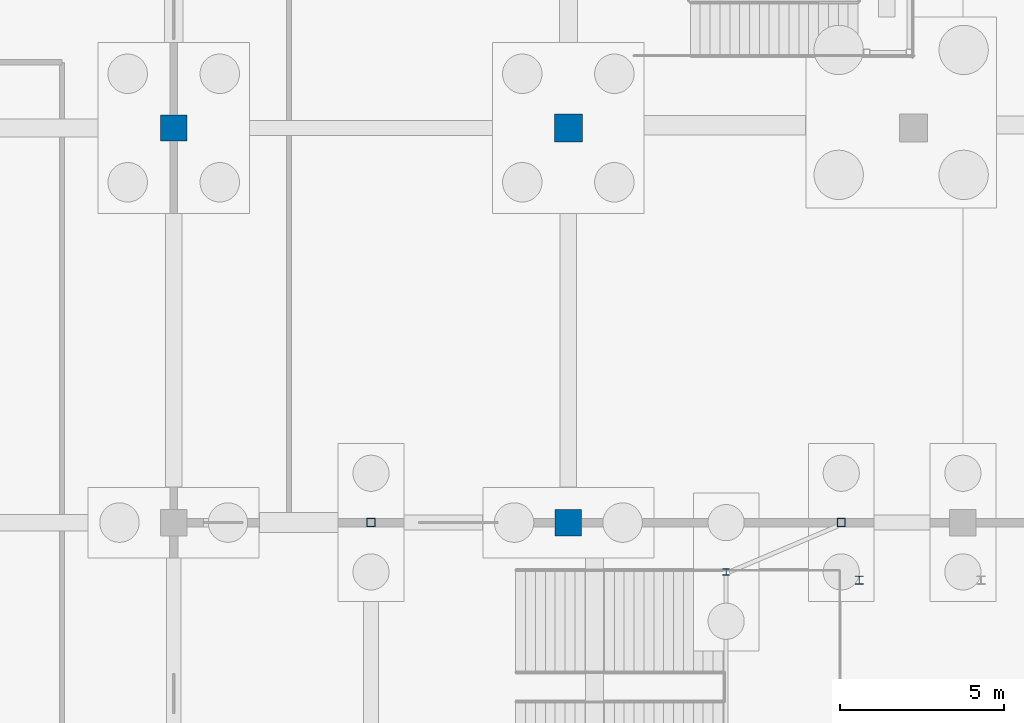
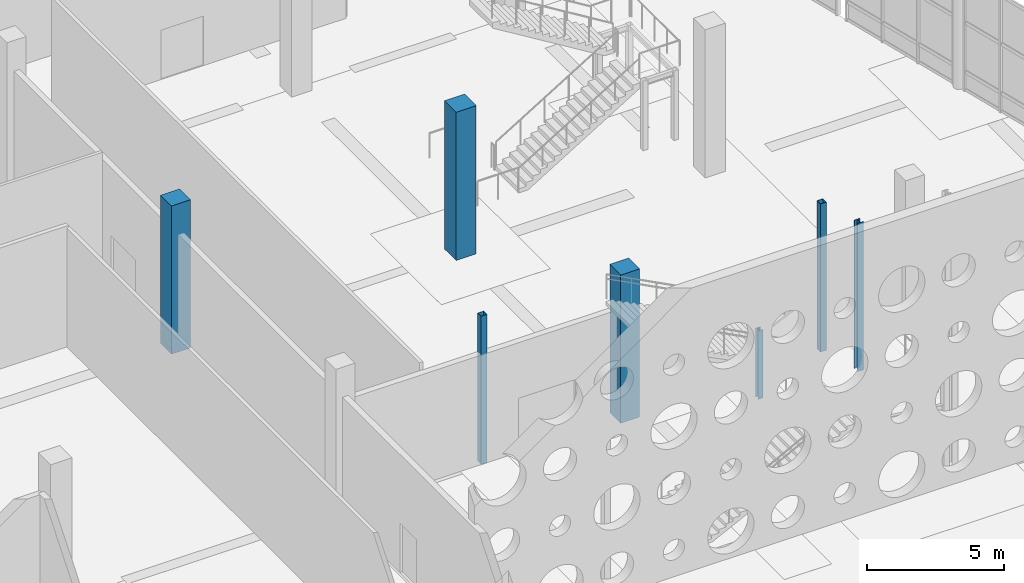
# One storey, part 29 of 117: 7 columns.
"""IFC4 building model written with IfcOpenShell, lengths in metres."""

from ifc_helpers import new_model, si_unit, direction, frame, origin, origin_2d, place, context, subcontext, project, spatial, rectangle, hollow_rectangle, i_section, extrude, material, material_profile, profile_set, type_object, element, save


model = new_model("IFC4")

# Units and contexts
model_context = context("Model", 3, precision=1e-05, world=origin(), true_north=direction((0.0, 1.0)))
body_context = subcontext(model_context, "Body", "Model", "MODEL_VIEW")
ifc_project = project(units=[si_unit("LENGTHUNIT", "METRE"), si_unit("AREAUNIT", "SQUARE_METRE"), si_unit("VOLUMEUNIT", "CUBIC_METRE"), si_unit("PLANEANGLEUNIT", "RADIAN"), si_unit("MASSUNIT", "GRAM", prefix="KILO")], contexts=[model_context])

# Site, building, storey
site_placement = place(None, origin())
site = spatial("IfcSite", under=ifc_project, at=site_placement, CompositionType="ELEMENT")
building_placement = place(site_placement, origin())
building = spatial("IfcBuilding", under=site, at=building_placement, Name="Kamomehara Wholesale Market", CompositionType="ELEMENT")
storey_placement = place(building_placement, origin())
storey = spatial("IfcBuildingStorey", under=building, at=storey_placement, Name="L00", CompositionType="ELEMENT", Elevation=0.0)

# Columns
ifc_material_1 = material(Name="Precast concrete Fc45 (C40/50)", Category="concrete")
ifc_material_profile_1 = material_profile(ifc_material_1, rectangle(XDim=0.800048828125, YDim=0.800048828125, at=origin_2d()), Name="PC-COL-800x800")
ifc_profile_set_1 = profile_set([ifc_material_profile_1], Name="Precast concrete Fc45 (C40/50)")
column_type_1 = type_object("IfcColumnType", Name="COL-PC800-EXT", PredefinedType="COLUMN", material=ifc_profile_set_1)
for number, where, z_axis, x_axis, name in (
    (1, (168.0, 36.0, 0.0), (0.0, 0.0, 1.0), (1.0, 0.0, 0.0), "Column C-03E L00"),
    (2, (180.0, 24.0, 0.0), (0.0, 0.0, 1.0), (1.0, 0.0, 0.0), "Column C-03E L00"),
):
    element("IfcColumn", number, at=place(storey_placement, frame(where, z_axis=z_axis, x_axis=x_axis)), inside=storey, type_object=column_type_1, Name=name, PredefinedType="COLUMN", context=body_context, shape_type="SweptSolid", body=[
        extrude(rectangle(XDim=0.800048828125, YDim=0.800048828125, at=origin_2d()), origin(), (0.0, 0.0, 1.0), 6.60009765625),
    ])
ifc_material_2 = material(Name="Precast concrete Fc45 (C40/50)", Category="concrete")
ifc_material_profile_2 = material_profile(ifc_material_2, rectangle(XDim=0.85009765625, YDim=0.85009765625, at=origin_2d()), Name="PC-COL-850x850")
ifc_profile_set_2 = profile_set([ifc_material_profile_2], Name="Precast concrete Fc45 (C40/50)")
column_type_2 = type_object("IfcColumnType", Name="COL-PC850-EXT", PredefinedType="COLUMN", material=ifc_profile_set_2)
column_1_placement = place(storey_placement, frame((180.0, 36.0, 0.0), z_axis=(0.0, 0.0, 1.0), x_axis=(1.0, 0.0, 0.0)))
element("IfcColumn", 3, at=column_1_placement, inside=storey, type_object=column_type_2, Name="Column C-02E L00", PredefinedType="COLUMN", context=body_context, shape_type="SweptSolid", body=[
    extrude(rectangle(XDim=0.85009765625, YDim=0.85009765625, at=origin_2d()), origin(), (0.0, 0.0, 1.0), 6.60009765625),
])
ifc_material_3 = material(Name="Steel SN490B", Category="steel")
ifc_material_profile_3 = material_profile(ifc_material_3, i_section(OverallWidth=0.199951171875, OverallDepth=0.199951171875, WebThickness=0.008056640625, FlangeThickness=0.011962890625, FilletRadius=0.012939453125, at=origin_2d()), Name="H-200x200x8x12")
ifc_profile_set_3 = profile_set([ifc_material_profile_3], Name="Steel SN490B")
column_type_3 = type_object("IfcColumnType", Name="COL-ST-H200-EXT", PredefinedType="COLUMN", material=ifc_profile_set_3)
column_2_placement = place(storey_placement, frame((184.800048828125, 22.5, 0.0), z_axis=(0.0, 0.0, 1.0), x_axis=(1.0, 0.0, 0.0)))
element("IfcColumn", 4, at=column_2_placement, inside=storey, type_object=column_type_3, Name="Column CS-10E L00", PredefinedType="COLUMN", context=body_context, shape_type="SweptSolid", body=[
    extrude(i_section(OverallWidth=0.199951171875, OverallDepth=0.199951171875, WebThickness=0.008056640625, FlangeThickness=0.011962890625, FilletRadius=0.012939453125, at=origin_2d()), origin(), (0.0, 0.0, 1.0), 3.06005859375),
])
ifc_material_4 = material(Name="Steel SN490B", Category="steel")
ifc_material_profile_4 = material_profile(ifc_material_4, i_section(OverallWidth=0.25, OverallDepth=0.25, WebThickness=0.009033203125, FlangeThickness=0.013916015625, FilletRadius=0.012939453125, at=origin_2d()), Name="H-250x250x9x14")
ifc_profile_set_4 = profile_set([ifc_material_profile_4], Name="Steel SN490B")
column_type_4 = type_object("IfcColumnType", Name="COL-ST-H250-EXT", PredefinedType="COLUMN", material=ifc_profile_set_4)
column_3_placement = place(storey_placement, frame((188.85009765625, 22.25, 0.0), z_axis=(0.0, 0.0, 1.0), x_axis=(1.0, 0.0, 0.0)))
element("IfcColumn", 5, at=column_3_placement, inside=storey, type_object=column_type_4, Name="Column CS-04E L00 ST20.2", PredefinedType="COLUMN", context=body_context, shape_type="SweptSolid", body=[
    extrude(i_section(OverallWidth=0.25, OverallDepth=0.25, WebThickness=0.009033203125, FlangeThickness=0.013916015625, FilletRadius=0.012939453125, at=origin_2d()), origin(), (0.0, 0.0, 1.0), 6.60009765625),
])
ifc_material_5 = material(Name="Steel SN490B", Category="steel")
ifc_material_profile_5 = material_profile(ifc_material_5, hollow_rectangle(XDim=0.25, YDim=0.25, WallThickness=0.011962890625, at=origin_2d()), Name="RHS-250x250x12")
ifc_profile_set_5 = profile_set([ifc_material_profile_5], Name="Steel SN490B")
column_type_5 = type_object("IfcColumnType", Name="COL-ST-RHS250-EXT", PredefinedType="COLUMN", material=ifc_profile_set_5)
for number, where, z_axis, x_axis, name in (
    (6, (174.0, 24.0, 0.0), (0.0, 0.0, 1.0), (1.0, 0.0, 0.0), "Column CS-07E L00"),
    (7, (188.300048828125, 24.0, 0.0), (0.0, 0.0, 1.0), (1.0, 0.0, 0.0), "Column CS-07E L00"),
):
    element("IfcColumn", number, at=place(storey_placement, frame(where, z_axis=z_axis, x_axis=x_axis)), inside=storey, type_object=column_type_5, Name=name, PredefinedType="COLUMN", context=body_context, shape_type="SweptSolid", body=[
        extrude(hollow_rectangle(XDim=0.25, YDim=0.25, WallThickness=0.011962890625, at=origin_2d()), origin(), (0.0, 0.0, 1.0), 6.60009765625),
    ])

save(model, "model.ifc")
